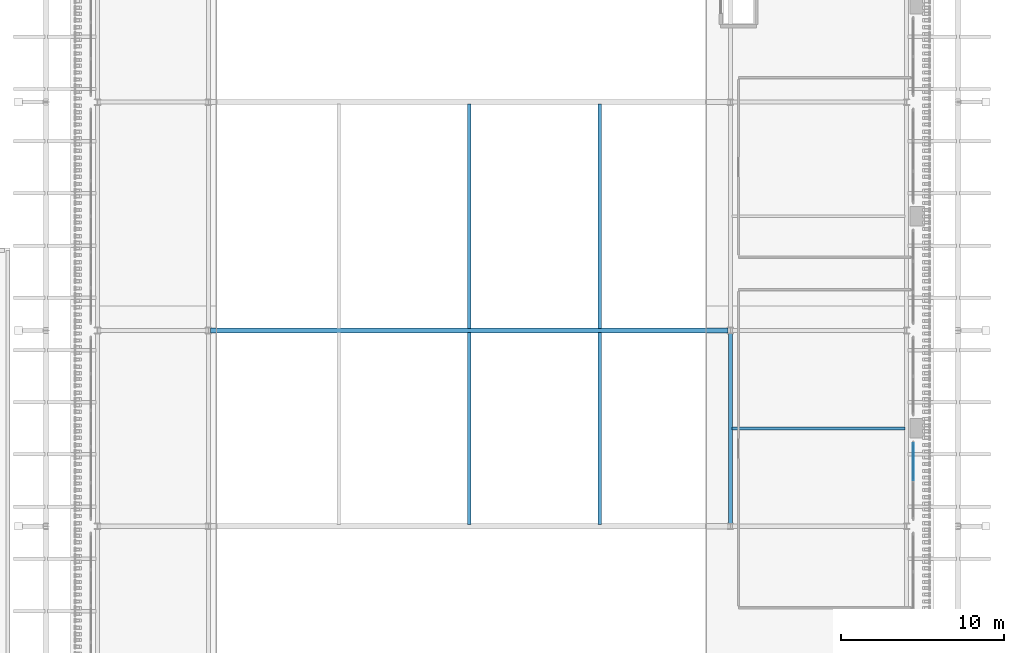
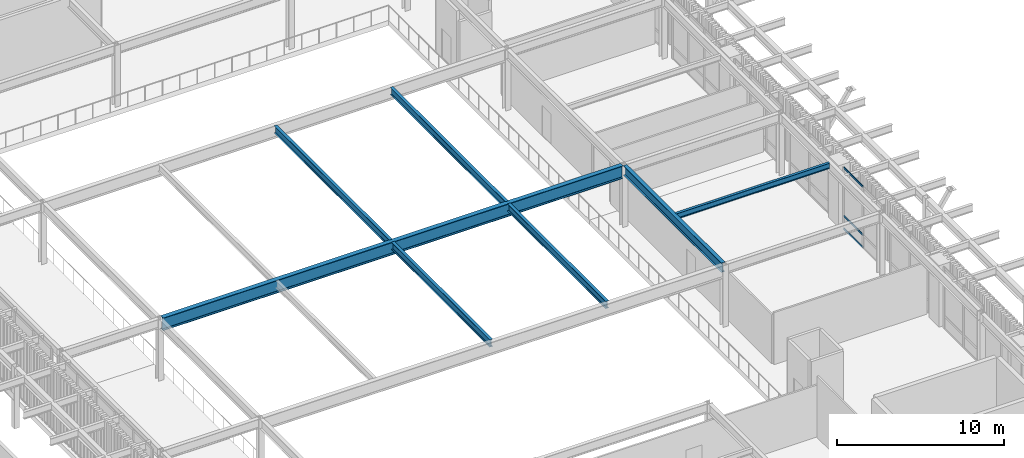
# One storey, part 51 of 126: 7 members, 3 beams, 1 element without a shape of its own.
"""IFC4 building model written with IfcOpenShell, lengths in metres."""

from ifc_helpers import new_model, si_unit, derived_unit, direction, frame, origin, origin_2d, place, context, subcontext, project, spatial, rectangle, i_section, extrude, material, layer, layer_set, material_profile, profile_set, type_object, element, aggregate, save


model = new_model("IFC4")

# Units and contexts
model_context = context("Model", 3, precision=1e-05, world=origin(), true_north=direction((0.0, 1.0)))
body_context = subcontext(model_context, "Body", "Model", "MODEL_VIEW")
ifc_project = project(units=[si_unit("LENGTHUNIT", "METRE"), si_unit("AREAUNIT", "SQUARE_METRE"), si_unit("VOLUMEUNIT", "CUBIC_METRE"), si_unit("PLANEANGLEUNIT", "RADIAN"), si_unit("MASSUNIT", "GRAM", prefix="KILO"), derived_unit("THERMALTRANSMITTANCEUNIT", [(si_unit("MASSUNIT", "GRAM", prefix="KILO"), 1), (si_unit("TIMEUNIT", "SECOND"), -3), (si_unit("THERMODYNAMICTEMPERATUREUNIT", "KELVIN"), -1)])], contexts=[model_context])

# Site, building, storey
site_placement = place(None, origin())
site = spatial("IfcSite", under=ifc_project, at=site_placement, CompositionType="ELEMENT")
building_placement = place(site_placement, origin())
building = spatial("IfcBuilding", under=site, at=building_placement, Name="Valcora Ridge Arena", CompositionType="ELEMENT")
storey_placement = place(building_placement, frame((0.0, 0.0, 11.39990234375)))
storey = spatial("IfcBuildingStorey", under=building, at=storey_placement, Name="L02", CompositionType="ELEMENT", Elevation=11.39990234375)

# Beams
ifc_material_1 = material(Name="Steel ASTM A572 Grade 50", Category="steel")
ifc_material_profile_1 = material_profile(ifc_material_1, i_section(OverallWidth=0.31005859375, OverallDepth=0.931884765625, WebThickness=0.02099609375, FlangeThickness=0.034423828125, FilletRadius=0.02392578125, at=origin_2d()), Name="W36X210")
ifc_profile_set_1 = profile_set([ifc_material_profile_1], Name="Steel ASTM A572 Grade 50")
beam_type_1 = type_object("IfcBeamType", Name="TY-BEAM-G-CRT-W36X210", PredefinedType="BEAM", material=ifc_profile_set_1)
beam_1_placement = place(storey_placement, frame((144.139892578125, 40.0, 4.01416015625), z_axis=(1.0, 0.0, 0.0), x_axis=(0.0, 1.0, 0.0)))
element("IfcBeam", 1, at=beam_1_placement, inside=storey, type_object=beam_type_1, Name="G-CRT-W36X210 BEM-G-CRT-W36X210-0002", PredefinedType="BEAM", context=body_context, shape_type="SweptSolid", body=[
    extrude(i_section(OverallWidth=0.31005859375, OverallDepth=0.931884765625, WebThickness=0.02099609375, FlangeThickness=0.034423828125, FilletRadius=0.02392578125, at=origin_2d()), origin(), (0.0, 0.0, 1.0), 31.72021484375),
])
ifc_material_profile_2 = material_profile(ifc_material_1, i_section(OverallWidth=0.256103515625, OverallDepth=0.693115234375, WebThickness=0.014404296875, FlangeThickness=0.023681640625, FilletRadius=0.02001953125, at=origin_2d()), Name="W27X114")
ifc_profile_set_2 = profile_set([ifc_material_profile_2], Name="Steel ASTM A572 Grade 50")
beam_type_2 = type_object("IfcBeamType", Name="TY-BEAM-G-W27X114-Y", PredefinedType="BEAM", material=ifc_profile_set_2)
beam_2_placement = place(storey_placement, frame((176.0, 28.139892578125, 4.133544921875), z_axis=(0.0, 1.0, 0.0), x_axis=(-1.0, 0.0, 0.0)))
element("IfcBeam", 2, at=beam_2_placement, inside=storey, type_object=beam_type_2, Name="G-W27X114-Y BEM-G-W27X114-Y-0075", PredefinedType="BEAM", context=body_context, shape_type="SweptSolid", body=[
    extrude(i_section(OverallWidth=0.256103515625, OverallDepth=0.693115234375, WebThickness=0.014404296875, FlangeThickness=0.023681640625, FilletRadius=0.02001953125, at=origin_2d()), origin(), (0.0, 0.0, 1.0), 11.72021484375),
])
ifc_material_profile_3 = material_profile(ifc_material_1, i_section(OverallWidth=0.177978515625, OverallDepth=0.406005859375, WebThickness=0.0078125, FlangeThickness=0.0126953125, FilletRadius=0.013916015625, at=origin_2d()), Name="W16X40")
ifc_profile_set_3 = profile_set([ifc_material_profile_3], Name="Steel ASTM A572 Grade 50")
beam_type_3 = type_object("IfcBeamType", Name="TY-BEAM-J-W16X40", PredefinedType="JOIST", material=ifc_profile_set_3)
beam_3_placement = place(storey_placement, frame((176.10009765625, 34.0, 4.277099609375), z_axis=(1.0, 0.0, 0.0), x_axis=(0.0, 1.0, 0.0)))
element("IfcBeam", 3, at=beam_3_placement, inside=storey, type_object=beam_type_3, Name="J-W16X40 BEM-J-W16X40-0021", PredefinedType="JOIST", context=body_context, shape_type="SweptSolid", body=[
    extrude(i_section(OverallWidth=0.177978515625, OverallDepth=0.406005859375, WebThickness=0.0078125, FlangeThickness=0.0126953125, FilletRadius=0.013916015625, at=origin_2d()), origin(), (0.0, 0.0, 1.0), 10.599853515625),
])

# Curtain wall, members
ifc_material_2 = material(Name="Anodised dark bronze architectural aluminium 6063-T6", Category="aluminium")
ifc_layer = layer(ifc_material_2, 0.179931640625, Name="Anodised dark bronze architectural aluminium 6063-T6")
ifc_layer_set = layer_set([ifc_layer], Name="Anodised dark bronze architectural aluminium 6063-T6")
curtain_wall_type = type_object("IfcCurtainWallType", Name="TY-CURTAINWALL-CW-V2-GLAZ-047X45", PredefinedType="NOTDEFINED", material=ifc_layer_set)
curtain_wall_placement = place(storey_placement, origin())
curtain_wall = element("IfcCurtainWall", 4, at=curtain_wall_placement, inside=storey, type_object=curtain_wall_type, Name="CW-V2-GLAZ-047X45 CW-0073", PredefinedType="NOTDEFINED")
ifc_material_profile_4 = material_profile(ifc_material_2, rectangle(XDim=0.050048828125, YDim=0.14990234375, at=origin_2d()), Name="ALU TRANSOM 50x150")
ifc_profile_set_4 = profile_set([ifc_material_profile_4], Name="Anodised dark bronze architectural aluminium 6063-T6")
member_type_1 = type_object("IfcMemberType", Name="TY-MEM-CWT-50x150", PredefinedType="USERDEFINED", material=ifc_profile_set_4)
member_1_placement = place(storey_placement, frame((187.199951171875, 30.823486328125, 0.025146484375), z_axis=(0.0, 1.0, 0.0), x_axis=(-1.0, 0.0, 0.0)))
member_1 = element("IfcMember", 5, at=member_1_placement, type_object=member_type_1, Name="CW-0073/CWT-50x150/T01-00", ObjectType="TRANSOM", PredefinedType="USERDEFINED", context=body_context, shape_type="SweptSolid", body=[
    extrude(rectangle(XDim=0.050048828125, YDim=0.14990234375, at=origin_2d()), origin(), (0.0, 0.0, 1.0), 2.276123046875),
])
member_2_placement = place(storey_placement, frame((187.199951171875, 30.823486328125, 0.9501953125), z_axis=(0.0, 1.0, 0.0), x_axis=(-1.0, 0.0, 0.0)))
member_2 = element("IfcMember", 6, at=member_2_placement, type_object=member_type_1, Name="CW-0073/CWT-50x150/T01-01", ObjectType="TRANSOM", PredefinedType="USERDEFINED", context=body_context, shape_type="SweptSolid", body=[
    extrude(rectangle(XDim=0.050048828125, YDim=0.14990234375, at=origin_2d()), origin(), (0.0, 0.0, 1.0), 2.276123046875),
])
member_3_placement = place(storey_placement, frame((187.199951171875, 30.823486328125, 4.455078125), z_axis=(0.0, 1.0, 0.0), x_axis=(-1.0, 0.0, 0.0)))
member_3 = element("IfcMember", 7, at=member_3_placement, type_object=member_type_1, Name="CW-0073/CWT-50x150/T01-02", ObjectType="TRANSOM", PredefinedType="USERDEFINED", context=body_context, shape_type="SweptSolid", body=[
    extrude(rectangle(XDim=0.050048828125, YDim=0.14990234375, at=origin_2d()), origin(), (0.0, 0.0, 1.0), 2.276123046875),
])
aggregate(curtain_wall, [member_1, member_2, member_3])

# Members
ifc_material_profile_5 = material_profile(ifc_material_1, i_section(OverallWidth=0.208984375, OverallDepth=0.532958984375, WebThickness=0.01025390625, FlangeThickness=0.015625, FilletRadius=0.01611328125, at=origin_2d()), Name="W21X62")
ifc_profile_set_5 = profile_set([ifc_material_profile_5], Name="Steel ASTM A572 Grade 50")
member_type_2 = type_object("IfcMemberType", Name="TY-MEMBER-PUR-CRT-W21X62", PredefinedType="PURLIN", material=ifc_profile_set_5)
for number, where, z_axis, x_axis, name in (
    (8, (160.0, 28.1201171875, 4.213623046875), (0.0, 1.0, 0.0), (-1.0, 0.0, 0.0), "PUR-CRT-W21X62 MBR-PR-PUR-CRT-W21X62-0002"),
    (9, (168.0, 28.1201171875, 4.213623046875), (0.0, 1.0, 0.0), (-1.0, 0.0, 0.0), "PUR-CRT-W21X62 MBR-PR-PUR-CRT-W21X62-0003"),
):
    element("IfcMember", number, at=place(storey_placement, frame(where, z_axis=z_axis, x_axis=x_axis)), inside=storey, type_object=member_type_2, Name=name, PredefinedType="PURLIN", context=body_context, shape_type="SweptSolid", body=[
        extrude(i_section(OverallWidth=0.208984375, OverallDepth=0.532958984375, WebThickness=0.01025390625, FlangeThickness=0.015625, FilletRadius=0.01611328125, at=origin_2d()), origin(), (0.0, 0.0, 1.0), 11.759765625),
    ])
for number, where, z_axis, x_axis, name in (
    (10, (160.0, 40.1201171875, 4.213623046875), (0.0, 1.0, 0.0), (-1.0, 0.0, 0.0), "PUR-CRT-W21X62 MBR-PR-PUR-CRT-W21X62-0005"),
    (11, (168.0, 40.1201171875, 4.213623046875), (0.0, 1.0, 0.0), (-1.0, 0.0, 0.0), "PUR-CRT-W21X62 MBR-PR-PUR-CRT-W21X62-0006"),
):
    element("IfcMember", number, at=place(storey_placement, frame(where, z_axis=z_axis, x_axis=x_axis)), inside=storey, type_object=member_type_2, Name=name, PredefinedType="PURLIN", context=body_context, shape_type="SweptSolid", body=[
        extrude(i_section(OverallWidth=0.208984375, OverallDepth=0.532958984375, WebThickness=0.01025390625, FlangeThickness=0.015625, FilletRadius=0.01611328125, at=origin_2d()), origin(), (0.0, 0.0, 1.0), 13.759765625),
    ])

save(model, "model.ifc")
